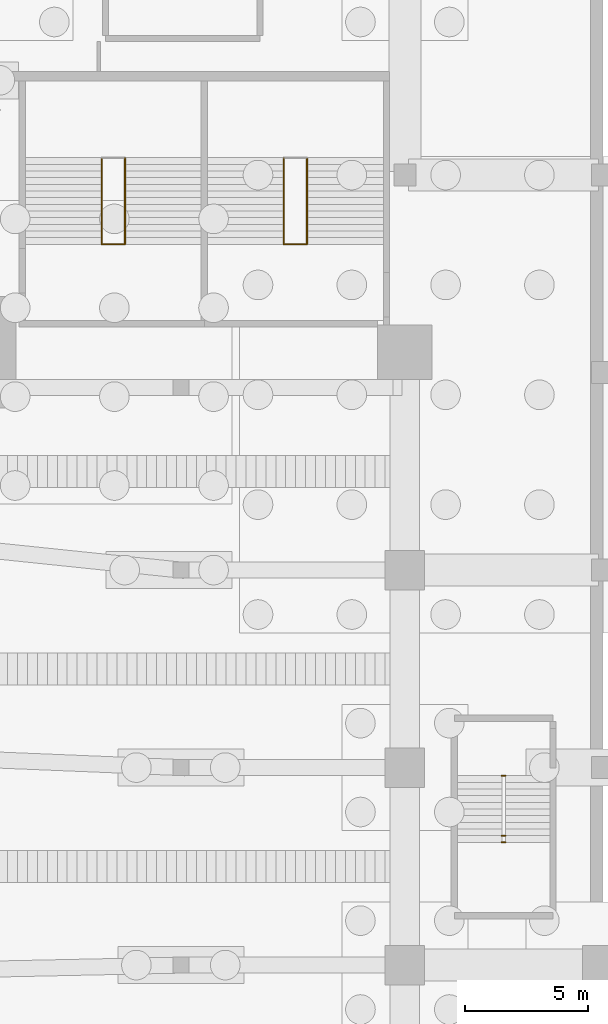
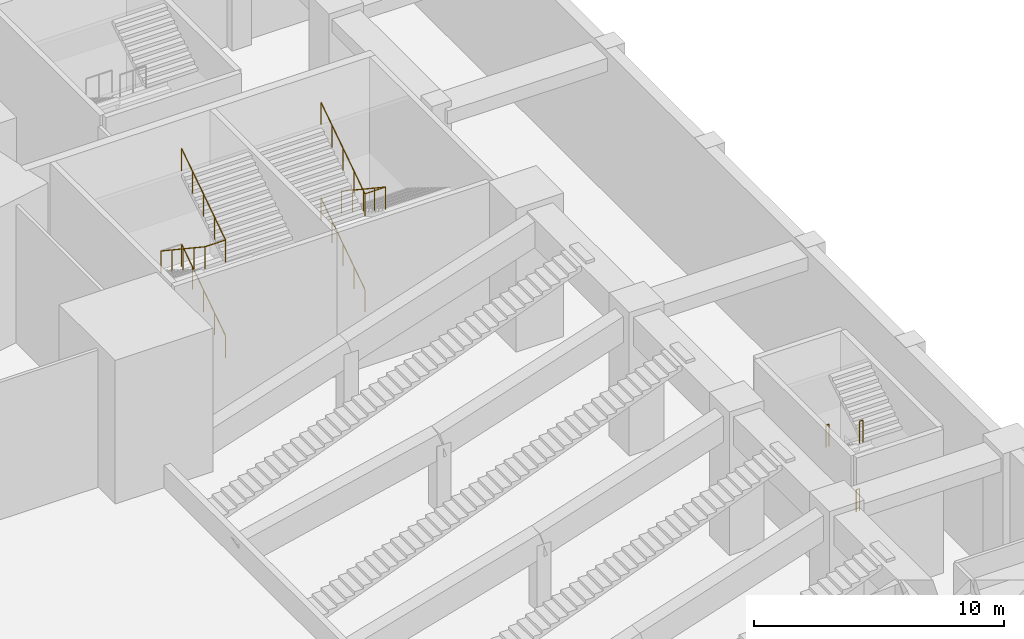
# One storey, part 23 of 30: 11 railings.
"""IFC4 building model written with IfcOpenShell, lengths in metres."""

from ifc_helpers import new_model, si_unit, direction, frame, origin, origin_2d, place, context, subcontext, project, spatial, circle, extrude, material, type_object, element, save


model = new_model("IFC4")

# Units and contexts
model_context = context("Model", 3, precision=1e-05, world=origin(), true_north=direction((0.0, 1.0)))
body_context = subcontext(model_context, "Body", "Model", "MODEL_VIEW")
ifc_project = project(units=[si_unit("LENGTHUNIT", "METRE"), si_unit("AREAUNIT", "SQUARE_METRE"), si_unit("VOLUMEUNIT", "CUBIC_METRE"), si_unit("PLANEANGLEUNIT", "RADIAN"), si_unit("MASSUNIT", "GRAM", prefix="KILO")], contexts=[model_context])

# Site, building, storey
site_placement = place(None, origin())
site = spatial("IfcSite", under=ifc_project, at=site_placement, CompositionType="ELEMENT")
building_placement = place(site_placement, origin())
building = spatial("IfcBuilding", under=site, at=building_placement, Name="Isbrekke Arena Tower", CompositionType="ELEMENT")
storey_placement = place(building_placement, frame((0.0, 0.0, -7.0)))
storey = spatial("IfcBuildingStorey", under=building, at=storey_placement, Name="B1", CompositionType="ELEMENT", Elevation=-7.0)

# Railings
ifc_material = material(Name="Steel stair guard, vertical bars, steel handrail", Category="steel")
railing_type = type_object("IfcRailingType", Name="GR3 STAIR WELL GUARD 1100", PredefinedType="GUARDRAIL", material=ifc_material)
railing_1_placement = place(storey_placement, frame((35.715087890625, -12.804931640625, 4.666748046875)))
element("IfcRailing", 1, at=railing_1_placement, inside=storey, type_object=railing_type, Name="GR3 stair guard X1 landing 2", PredefinedType="GUARDRAIL", context=body_context, shape_type="SweptSolid", body=[
    extrude(circle(Radius=0.02392578125, at=origin_2d()), frame((0.0, 0.0, 1.076171875), z_axis=(1.0, 0.0, 0.0), x_axis=(0.0, 1.0, 0.0)), (0.0, 0.0, 1.0), 0.94482421875),
    extrude(circle(Radius=0.02099609375, at=origin_2d()), origin(), (0.0, 0.0, 1.0), 1.052001953125),
    extrude(circle(Radius=0.02099609375, at=origin_2d()), frame((0.94482421875, 0.0, 0.0)), (0.0, 0.0, 1.0), 1.052001953125),
])
railing_2_placement = place(storey_placement, frame((36.659912109375, -12.804931640625, 0.0)))
element("IfcRailing", 2, at=railing_2_placement, inside=storey, type_object=railing_type, Name="GR3 stair guard X1 flight 1", PredefinedType="GUARDRAIL", context=body_context, shape_type="SweptSolid", body=[
    extrude(circle(Radius=0.02392578125, at=origin_2d()), frame((0.0, 0.0, 1.076171875), z_axis=(0.0, 0.832789213634, 0.553590214558), x_axis=(-1.0, 0.0, 0.0)), (0.0, 0.0, 1.0), 4.21484375),
    extrude(circle(Radius=0.02099609375, at=origin_2d()), origin(), (0.0, 0.0, 1.0), 1.052001953125),
    extrude(circle(Radius=0.02099609375, at=origin_2d()), frame((0.0, 0.87744140625, 0.583251953125)), (0.0, 0.0, 1.0), 1.052001953125),
    extrude(circle(Radius=0.02099609375, at=origin_2d()), frame((0.0, 1.7548828125, 1.16650390625)), (0.0, 0.0, 1.0), 1.052001953125),
    extrude(circle(Radius=0.02099609375, at=origin_2d()), frame((0.0, 2.632568359375, 1.75)), (0.0, 0.0, 1.0), 1.052001953125),
    extrude(circle(Radius=0.02099609375, at=origin_2d()), frame((0.0, 3.510009765625, 2.333251953125)), (0.0, 0.0, 1.0), 1.052001953125),
])
railing_3_placement = place(storey_placement, frame((35.715087890625, -9.294921875, 2.333251953125)))
element("IfcRailing", 3, at=railing_3_placement, inside=storey, type_object=railing_type, Name="GR3 stair guard X1 flight 2", PredefinedType="GUARDRAIL", context=body_context, shape_type="SweptSolid", body=[
    extrude(circle(Radius=0.02392578125, at=origin_2d()), frame((0.0, 0.0, 1.076171875), z_axis=(0.0, -0.832762508661, 0.553630385879), x_axis=(1.0, 0.0, 0.0)), (0.0, 0.0, 1.0), 4.21484375),
    extrude(circle(Radius=0.02099609375, at=origin_2d()), origin(), (0.0, 0.0, 1.0), 1.052001953125),
    extrude(circle(Radius=0.02099609375, at=origin_2d()), frame((0.0, -0.87744140625, 0.58349609375)), (0.0, 0.0, 1.0), 1.052001953125),
    extrude(circle(Radius=0.02099609375, at=origin_2d()), frame((0.0, -1.7548828125, 1.166748046875)), (0.0, 0.0, 1.0), 1.052001953125),
    extrude(circle(Radius=0.02099609375, at=origin_2d()), frame((0.0, -2.632568359375, 1.75)), (0.0, 0.0, 1.0), 1.052001953125),
    extrude(circle(Radius=0.02099609375, at=origin_2d()), frame((0.0, -3.510009765625, 2.33349609375)), (0.0, 0.0, 1.0), 1.052001953125),
])
railing_4_placement = place(storey_placement, frame((36.659912109375, -12.804931640625, 4.666748046875)))
element("IfcRailing", 4, at=railing_4_placement, inside=storey, type_object=railing_type, Name="GR3 stair guard X1 flight 3", PredefinedType="GUARDRAIL", context=body_context, shape_type="SweptSolid", body=[
    extrude(circle(Radius=0.02392578125, at=origin_2d()), frame((0.0, 0.0, 1.076171875), z_axis=(0.0, 0.832789213634, 0.553590214558), x_axis=(-1.0, 0.0, 0.0)), (0.0, 0.0, 1.0), 4.21484375),
    extrude(circle(Radius=0.02099609375, at=origin_2d()), origin(), (0.0, 0.0, 1.0), 1.052001953125),
    extrude(circle(Radius=0.02099609375, at=origin_2d()), frame((0.0, 0.87744140625, 0.583251953125)), (0.0, 0.0, 1.0), 1.052001953125),
    extrude(circle(Radius=0.02099609375, at=origin_2d()), frame((0.0, 1.7548828125, 1.16650390625)), (0.0, 0.0, 1.0), 1.052001953125),
    extrude(circle(Radius=0.02099609375, at=origin_2d()), frame((0.0, 2.632568359375, 1.75)), (0.0, 0.0, 1.0), 1.052001953125),
    extrude(circle(Radius=0.02099609375, at=origin_2d()), frame((0.0, 3.510009765625, 2.333251953125)), (0.0, 0.0, 1.0), 1.052001953125),
])
railing_5_placement = place(storey_placement, frame((43.090087890625, -12.804931640625, 4.666748046875)))
element("IfcRailing", 5, at=railing_5_placement, inside=storey, type_object=railing_type, Name="GR3 stair guard X2 landing 2", PredefinedType="GUARDRAIL", context=body_context, shape_type="SweptSolid", body=[
    extrude(circle(Radius=0.02392578125, at=origin_2d()), frame((0.0, 0.0, 1.076171875), z_axis=(1.0, 0.0, 0.0), x_axis=(0.0, 1.0, 0.0)), (0.0, 0.0, 1.0), 0.94482421875),
    extrude(circle(Radius=0.02099609375, at=origin_2d()), origin(), (0.0, 0.0, 1.0), 1.052001953125),
    extrude(circle(Radius=0.02099609375, at=origin_2d()), frame((0.94482421875, 0.0, 0.0)), (0.0, 0.0, 1.0), 1.052001953125),
])
railing_6_placement = place(storey_placement, frame((43.090087890625, -12.804931640625, 0.0)))
element("IfcRailing", 6, at=railing_6_placement, inside=storey, type_object=railing_type, Name="GR3 stair guard X2 flight 1", PredefinedType="GUARDRAIL", context=body_context, shape_type="SweptSolid", body=[
    extrude(circle(Radius=0.02392578125, at=origin_2d()), frame((0.0, 0.0, 1.076171875), z_axis=(0.0, 0.832789213634, 0.553590214558), x_axis=(-1.0, 0.0, 0.0)), (0.0, 0.0, 1.0), 4.21484375),
    extrude(circle(Radius=0.02099609375, at=origin_2d()), origin(), (0.0, 0.0, 1.0), 1.052001953125),
    extrude(circle(Radius=0.02099609375, at=origin_2d()), frame((0.0, 0.87744140625, 0.583251953125)), (0.0, 0.0, 1.0), 1.052001953125),
    extrude(circle(Radius=0.02099609375, at=origin_2d()), frame((0.0, 1.7548828125, 1.16650390625)), (0.0, 0.0, 1.0), 1.052001953125),
    extrude(circle(Radius=0.02099609375, at=origin_2d()), frame((0.0, 2.632568359375, 1.75)), (0.0, 0.0, 1.0), 1.052001953125),
    extrude(circle(Radius=0.02099609375, at=origin_2d()), frame((0.0, 3.510009765625, 2.333251953125)), (0.0, 0.0, 1.0), 1.052001953125),
])
railing_7_placement = place(storey_placement, frame((44.034912109375, -9.294921875, 2.333251953125)))
element("IfcRailing", 7, at=railing_7_placement, inside=storey, type_object=railing_type, Name="GR3 stair guard X2 flight 2", PredefinedType="GUARDRAIL", context=body_context, shape_type="SweptSolid", body=[
    extrude(circle(Radius=0.02392578125, at=origin_2d()), frame((0.0, 0.0, 1.076171875), z_axis=(0.0, -0.832762508661, 0.553630385879), x_axis=(1.0, 0.0, 0.0)), (0.0, 0.0, 1.0), 4.21484375),
    extrude(circle(Radius=0.02099609375, at=origin_2d()), origin(), (0.0, 0.0, 1.0), 1.052001953125),
    extrude(circle(Radius=0.02099609375, at=origin_2d()), frame((0.0, -0.87744140625, 0.58349609375)), (0.0, 0.0, 1.0), 1.052001953125),
    extrude(circle(Radius=0.02099609375, at=origin_2d()), frame((0.0, -1.7548828125, 1.166748046875)), (0.0, 0.0, 1.0), 1.052001953125),
    extrude(circle(Radius=0.02099609375, at=origin_2d()), frame((0.0, -2.632568359375, 1.75)), (0.0, 0.0, 1.0), 1.052001953125),
    extrude(circle(Radius=0.02099609375, at=origin_2d()), frame((0.0, -3.510009765625, 2.33349609375)), (0.0, 0.0, 1.0), 1.052001953125),
])
railing_8_placement = place(storey_placement, frame((43.090087890625, -12.804931640625, 4.666748046875)))
element("IfcRailing", 8, at=railing_8_placement, inside=storey, type_object=railing_type, Name="GR3 stair guard X2 flight 3", PredefinedType="GUARDRAIL", context=body_context, shape_type="SweptSolid", body=[
    extrude(circle(Radius=0.02392578125, at=origin_2d()), frame((0.0, 0.0, 1.076171875), z_axis=(0.0, 0.832789213634, 0.553590214558), x_axis=(-1.0, 0.0, 0.0)), (0.0, 0.0, 1.0), 4.21484375),
    extrude(circle(Radius=0.02099609375, at=origin_2d()), origin(), (0.0, 0.0, 1.0), 1.052001953125),
    extrude(circle(Radius=0.02099609375, at=origin_2d()), frame((0.0, 0.87744140625, 0.583251953125)), (0.0, 0.0, 1.0), 1.052001953125),
    extrude(circle(Radius=0.02099609375, at=origin_2d()), frame((0.0, 1.7548828125, 1.16650390625)), (0.0, 0.0, 1.0), 1.052001953125),
    extrude(circle(Radius=0.02099609375, at=origin_2d()), frame((0.0, 2.632568359375, 1.75)), (0.0, 0.0, 1.0), 1.052001953125),
    extrude(circle(Radius=0.02099609375, at=origin_2d()), frame((0.0, 3.510009765625, 2.333251953125)), (0.0, 0.0, 1.0), 1.052001953125),
])
for number, where, name in (
    (9, (51.925048828125, -36.7548828125, 1.666748046875), "GR3 stair well guard P3 B1"),
    (10, (51.925048828125, -34.324951171875, 3.333251953125), "GR3 stair well guard P3 B1"),
    (11, (51.925048828125, -37.02490234375, 5.166748046875), "GR3 stair well guard P3 B1"),
):
    element("IfcRailing", number, at=place(storey_placement, frame(where)), inside=storey, type_object=railing_type, Name=name, PredefinedType="GUARDRAIL", context=body_context, shape_type="SweptSolid", body=[
        extrude(circle(Radius=0.02392578125, at=origin_2d()), frame((0.0, 0.0, 1.076171875), z_axis=(1.0, 0.0, 0.0), x_axis=(0.0, 1.0, 0.0)), (0.0, 0.0, 1.0), 0.14990234375),
        extrude(circle(Radius=0.02099609375, at=origin_2d()), origin(), (0.0, 0.0, 1.0), 1.052001953125),
        extrude(circle(Radius=0.02099609375, at=origin_2d()), frame((0.14990234375, 0.0, 0.0)), (0.0, 0.0, 1.0), 1.052001953125),
    ])

save(model, "model.ifc")
